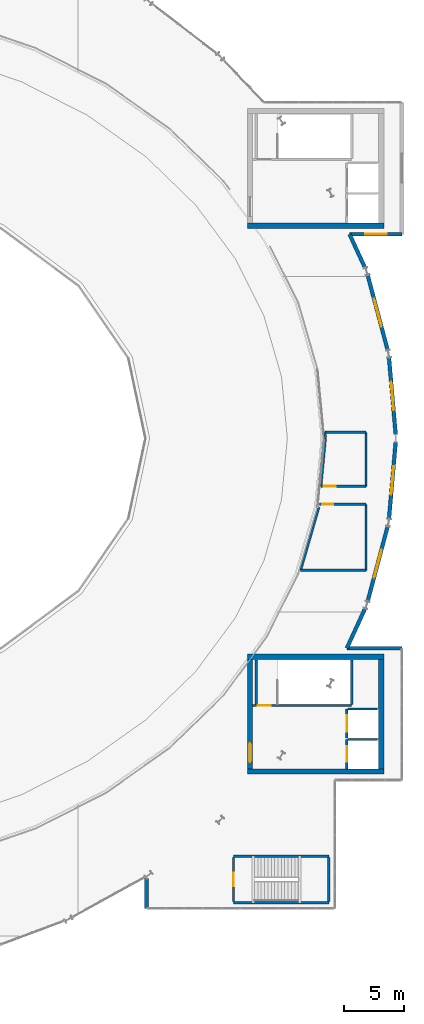
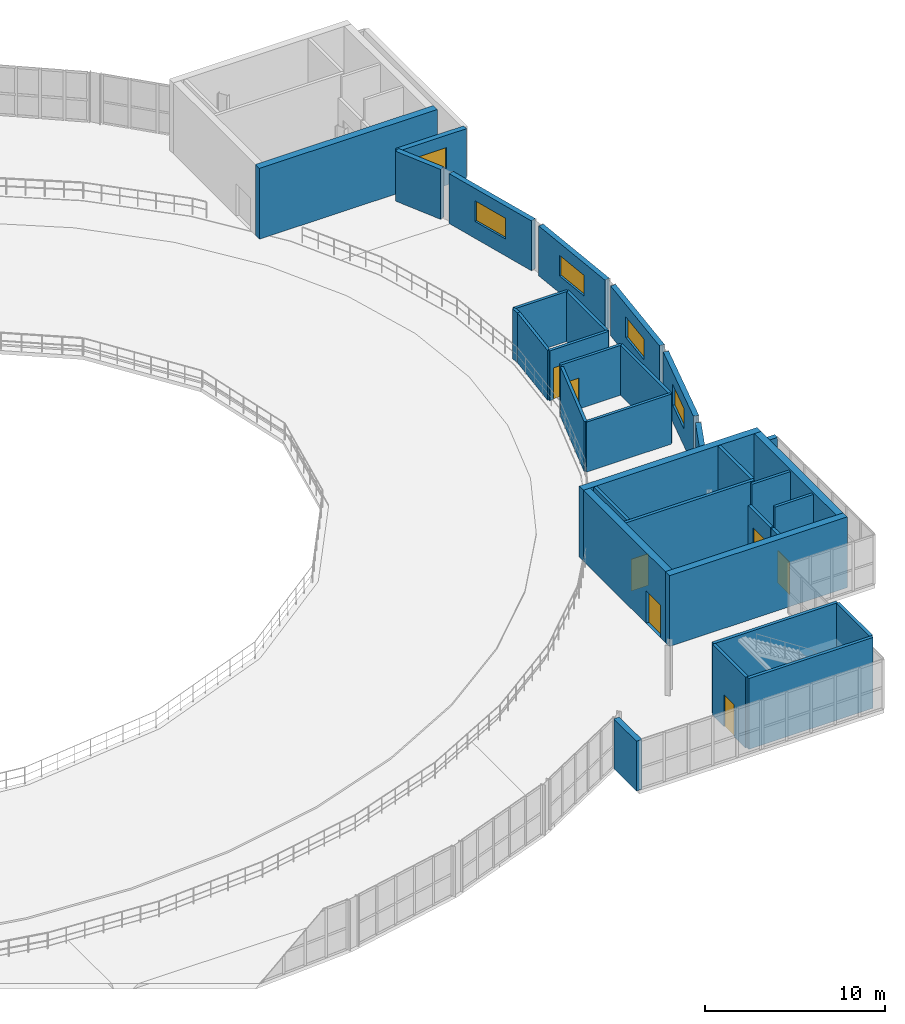
# One storey, part 32 of 40: 34 walls, 7 doors, 5 windows, 12 openings.
"""IFC4 building model written with IfcOpenShell, lengths in metres."""

from ifc_helpers import new_model, si_unit, direction, frame, frame_2d, origin, place, context, subcontext, project, spatial, rectangle, extrude, material, layer, layer_set, type_object, element, fill, save


model = new_model("IFC4")

# Units and contexts
model_context = context("Model", 3, precision=1e-05, world=origin(), true_north=direction((0.0, 1.0)))
body_context = subcontext(model_context, "Body", "Model", "MODEL_VIEW")
ifc_project = project(units=[si_unit("LENGTHUNIT", "METRE"), si_unit("AREAUNIT", "SQUARE_METRE"), si_unit("VOLUMEUNIT", "CUBIC_METRE"), si_unit("PLANEANGLEUNIT", "RADIAN"), si_unit("MASSUNIT", "GRAM", prefix="KILO")], contexts=[model_context])

# Site, building, storey
site_placement = place(None, origin())
site = spatial("IfcSite", under=ifc_project, at=site_placement, CompositionType="ELEMENT")
building_placement = place(site_placement, origin())
building = spatial("IfcBuilding", under=site, at=building_placement, Name="Glasvene Arena", CompositionType="ELEMENT")
storey_placement = place(building_placement, frame((0.0, 0.0, 24.0)))
storey = spatial("IfcBuildingStorey", under=building, at=storey_placement, Name="L05", CompositionType="ELEMENT", Elevation=24.0)

# Walls
ifc_material_1 = material(Name="Concrete C40/50", Category="concrete")
ifc_layer_1 = layer(ifc_material_1, 0.449951171875)
ifc_layer_set_1 = layer_set([ifc_layer_1], Name="Concrete C40/50")
wall_type_1 = type_object("IfcWallType", Name="WL-CORE-450", PredefinedType="SHEAR", material=ifc_layer_set_1)
for number, where, z_axis, x_axis, name in (
    (1, (129.60009765625, 90.72509765625, 0.0), (0.0, 0.0, 1.0), (1.0, 0.0, 0.0), "Core C2 North-East shear wall S L05"),
    (2, (129.60009765625, 45.22509765625, 0.0), (0.0, 0.0, 1.0), (1.0, 0.0, 0.0), "Core C4 South-East shear wall S L05"),
    (3, (129.60009765625, 54.77490234375, 0.0), (0.0, 0.0, 1.0), (1.0, 0.0, 0.0), "Core C4 South-East shear wall N L05"),
):
    element("IfcWall", number, at=place(storey_placement, frame(where, z_axis=z_axis, x_axis=x_axis)), inside=storey, type_object=wall_type_1, Name=name, PredefinedType="SHEAR", context=body_context, shape_type="SweptSolid", body=[
        extrude(rectangle(XDim=11.39990234375, YDim=0.449951171875, at=frame_2d((5.699951171875, 0.0))), origin(), (0.0, 0.0, 1.0), 4.800048828125),
    ])

# Wall, opening, door
wall_1_placement = place(storey_placement, frame((129.824951171875, 45.449951171875, 0.0), z_axis=(0.0, 0.0, 1.0), x_axis=(0.0, 1.0, 0.0)))
wall_1 = element("IfcWall", 4, at=wall_1_placement, inside=storey, type_object=wall_type_1, Name="Core C4 South-East shear wall W L05", PredefinedType="SHEAR", context=body_context, shape_type="SweptSolid", body=[
    extrude(rectangle(XDim=9.10009765625, YDim=0.449951171875, at=frame_2d((4.550048828125, 0.0))), origin(), (0.0, 0.0, 1.0), 4.800048828125),
])
opening_1_placement = place(wall_1_placement, frame((0.550048828125, 0.0, 0.0)))
opening_1 = element("IfcOpeningElement", 5, at=opening_1_placement, cuts=wall_1, Name="Opening D-02", PredefinedType="OPENING", context=body_context, shape_type="SweptSolid", body=[
    extrude(rectangle(XDim=1.60009765625, YDim=2.199951171875, at=frame_2d((0.800048828125, 1.10009765625))), frame((0.0, 0.23486328125, 0.0), z_axis=(0.0, -1.0, 0.0), x_axis=(1.0, 0.0, 0.0)), (0.0, 0.0, 1.0), 0.469970703125),
])
ifc_material_2 = material(Name="Painted fire-resisting steel", Category="steel")
door_type_1 = type_object("IfcDoorType", Name="DR-FD60-1600", OperationType="DOUBLE_DOOR_SINGLE_SWING", PredefinedType="DOOR", material=ifc_material_2)
door_1_placement = place(opening_1_placement, frame((1.60009765625, 0.0, 0.0), z_axis=(0.0, 0.0, 1.0), x_axis=(-1.0, 0.0, 0.0)))
door_1 = element("IfcDoor", 6, at=door_1_placement, inside=storey, type_object=door_type_1, Name="Core firefighting lobby concourse door C4-L05", OperationType="DOUBLE_DOOR_SINGLE_SWING", OverallHeight=2.199951171875, OverallWidth=1.60009765625, PredefinedType="DOOR", context=body_context, shape_type="SweptSolid", body=[
    extrude(rectangle(XDim=1.60009765625, YDim=2.199951171875, at=frame_2d((0.800048828125, 1.10009765625))), frame((0.0, 0.02490234375, 0.0), z_axis=(0.0, -1.0, 0.0), x_axis=(1.0, 0.0, 0.0)), (0.0, 0.0, 1.0), 0.050048828125),
])
fill(opening_1, door_1)

# Walls
wall_2_placement = place(storey_placement, frame((140.77490234375, 45.449951171875, 0.0), z_axis=(0.0, 0.0, 1.0), x_axis=(0.0, 1.0, 0.0)))
element("IfcWall", 7, at=wall_2_placement, inside=storey, type_object=wall_type_1, Name="Core C4 South-East shear wall E L05", PredefinedType="SHEAR", context=body_context, shape_type="SweptSolid", body=[
    extrude(rectangle(XDim=9.10009765625, YDim=0.449951171875, at=frame_2d((4.550048828125, 0.0))), origin(), (0.0, 0.0, 1.0), 4.800048828125),
])
ifc_material_3 = material(Name="Coursed pale Irish limestone", Category="masonry")
ifc_layer_2 = layer(ifc_material_3, 0.360107421875)
ifc_layer_set_2 = layer_set([ifc_layer_2], Name="Coursed pale Irish limestone")
wall_type_2 = type_object("IfcWallType", Name="WL-EXT-LIM-360", PredefinedType="STANDARD", material=ifc_layer_set_2)
wall_3_placement = place(storey_placement, frame((121.199951171875, 33.800048828125, 0.0), z_axis=(0.0, 0.0, 1.0), x_axis=(0.0, 1.0, 0.0)))
element("IfcWall", 8, at=wall_3_placement, inside=storey, type_object=wall_type_2, Name="External facade wall EW-L05-0301", PredefinedType="STANDARD", context=body_context, shape_type="SweptSolid", body=[
    extrude(rectangle(XDim=2.508056640625, YDim=0.360107421875, at=frame_2d((1.25390625, 0.0))), origin(), (0.0, 0.0, 1.0), 3.3798828125),
])

# Wall, opening, window
ifc_material_4 = material(Name="Precast concrete C50/60", Category="concrete")
ifc_layer_3 = layer(ifc_material_4, 0.320068359375)
ifc_layer_set_3 = layer_set([ifc_layer_3], Name="Precast concrete C50/60")
wall_type_3 = type_object("IfcWallType", Name="WL-EXT-PRC-320", PredefinedType="STANDARD", material=ifc_layer_set_3)
wall_4_placement = place(storey_placement, frame((142.5, 90.0, 0.0), z_axis=(0.0, 0.0, 1.0), x_axis=(-1.0, 0.0, 0.0)))
wall_4 = element("IfcWall", 9, at=wall_4_placement, inside=storey, type_object=wall_type_3, Name="External facade wall EW-L05-0293", PredefinedType="STANDARD", context=body_context, shape_type="SweptSolid", body=[
    extrude(rectangle(XDim=4.371337890625, YDim=0.320068359375, at=frame_2d((2.185546875, 0.0))), origin(), (0.0, 0.0, 1.0), 3.3798828125),
])
opening_2_placement = place(wall_4_placement, frame((1.285888671875, 0.0, 1.14990234375)))
opening_2 = element("IfcOpeningElement", 10, at=opening_2_placement, cuts=wall_4, Name="Opening W-19", PredefinedType="OPENING", context=body_context, shape_type="SweptSolid", body=[
    extrude(rectangle(XDim=1.800048828125, YDim=1.39990234375, at=frame_2d((0.89990234375, 0.699951171875))), frame((0.0, 0.169921875, 0.0), z_axis=(0.0, -1.0, 0.0), x_axis=(1.0, 0.0, 0.0)), (0.0, 0.0, 1.0), 0.340087890625),
])
ifc_material_5 = material(Name="Low-emissivity laminated double glazing", Category="glass")
window_type_1 = type_object("IfcWindowType", Name="WN-LOUV-180x140", PartitioningType="SINGLE_PANEL", PredefinedType="WINDOW", material=ifc_material_5)
window_1_placement = place(opening_2_placement, origin())
window_1 = element("IfcWindow", 11, at=window_1_placement, inside=storey, type_object=window_type_1, Name="Facade window WN-LOUV-180x140 L05-0186", OverallHeight=1.39990234375, OverallWidth=1.800048828125, PartitioningType="SINGLE_PANEL", PredefinedType="WINDOW", context=body_context, shape_type="SweptSolid", body=[
    extrude(rectangle(XDim=1.800048828125, YDim=1.39990234375, at=frame_2d((0.89990234375, 0.699951171875))), frame((0.0, 0.030029296875, 0.0), z_axis=(0.0, -1.0, 0.0), x_axis=(1.0, 0.0, 0.0)), (0.0, 0.0, 1.0), 0.06005859375),
])
fill(opening_2, window_1)

# Wall
wall_5_placement = place(storey_placement, frame((138.128662109375, 90.0, 0.0), z_axis=(0.0, 0.0, 1.0), x_axis=(0.418086422493, -0.908407256316, 0.0)))
element("IfcWall", 12, at=wall_5_placement, inside=storey, type_object=wall_type_3, Name="External facade wall EW-L05-0294", PredefinedType="STANDARD", context=body_context, shape_type="SweptSolid", body=[
    extrude(rectangle(XDim=3.07568359375, YDim=0.320068359375, at=frame_2d((1.537841796875, 0.0))), origin(), (0.0, 0.0, 1.0), 3.3798828125),
])

# Wall, opening, window
wall_6_placement = place(storey_placement, frame((139.63720703125, 86.58984375, 0.0), z_axis=(0.0, 0.0, 1.0), x_axis=(0.257735684167, -0.966215461016, 0.0)))
wall_6 = element("IfcWall", 13, at=wall_6_placement, inside=storey, type_object=wall_type_3, Name="External facade wall EW-L05-0295", PredefinedType="STANDARD", context=body_context, shape_type="SweptSolid", body=[
    extrude(rectangle(XDim=6.449951171875, YDim=0.320068359375, at=frame_2d((3.22509765625, 0.0))), origin(), (0.0, 0.0, 1.0), 3.3798828125),
])
opening_3_placement = place(wall_6_placement, frame((2.02490234375, 0.0, 1.14990234375)))
opening_3 = element("IfcOpeningElement", 14, at=opening_3_placement, cuts=wall_6, Name="Opening W-18", PredefinedType="OPENING", context=body_context, shape_type="SweptSolid", body=[
    extrude(rectangle(XDim=2.39990234375, YDim=1.39990234375, at=frame_2d((1.199951171875, 0.699951171875))), frame((0.0, 0.169921875, 0.0), z_axis=(0.0, -1.0, 0.0), x_axis=(1.0, 0.0, 0.0)), (0.0, 0.0, 1.0), 0.340087890625),
])
window_type_2 = type_object("IfcWindowType", Name="WN-LOUV-240x140", PartitioningType="DOUBLE_PANEL_HORIZONTAL", PredefinedType="WINDOW", material=ifc_material_5)
window_2_placement = place(opening_3_placement, origin())
window_2 = element("IfcWindow", 15, at=window_2_placement, inside=storey, type_object=window_type_2, Name="Facade window WN-LOUV-240x140 L05-0187", OverallHeight=1.39990234375, OverallWidth=2.39990234375, PartitioningType="SINGLE_PANEL", PredefinedType="WINDOW", context=body_context, shape_type="SweptSolid", body=[
    extrude(rectangle(XDim=2.39990234375, YDim=1.39990234375, at=frame_2d((1.199951171875, 0.699951171875))), frame((0.0, 0.030029296875, 0.0), z_axis=(0.0, -1.0, 0.0), x_axis=(1.0, 0.0, 0.0)), (0.0, 0.0, 1.0), 0.06005859375),
])
fill(opening_3, window_2)

wall_7_placement = place(storey_placement, frame((141.412841796875, 79.71337890625, 0.0), z_axis=(0.0, 0.0, 1.0), x_axis=(0.0871324641, -0.996196734435, 0.0)))
wall_7 = element("IfcWall", 16, at=wall_7_placement, inside=storey, type_object=wall_type_3, Name="External facade wall EW-L05-0296", PredefinedType="STANDARD", context=body_context, shape_type="SweptSolid", body=[
    extrude(rectangle(XDim=6.410888671875, YDim=0.320068359375, at=frame_2d((3.20556640625, 0.0))), origin(), (0.0, 0.0, 1.0), 3.3798828125),
])
opening_4_placement = place(wall_7_placement, frame((2.0048828125, 0.0, 1.14990234375)))
opening_4 = element("IfcOpeningElement", 17, at=opening_4_placement, cuts=wall_7, Name="Opening W-18", PredefinedType="OPENING", context=body_context, shape_type="SweptSolid", body=[
    extrude(rectangle(XDim=2.39990234375, YDim=1.39990234375, at=frame_2d((1.199951171875, 0.699951171875))), frame((0.0, 0.169921875, 0.0), z_axis=(0.0, -1.0, 0.0), x_axis=(1.0, 0.0, 0.0)), (0.0, 0.0, 1.0), 0.340087890625),
])
window_3_placement = place(opening_4_placement, origin())
window_3 = element("IfcWindow", 18, at=window_3_placement, inside=storey, type_object=window_type_2, Name="Facade window WN-LOUV-240x140 L05-0188", OverallHeight=1.39990234375, OverallWidth=2.39990234375, PartitioningType="SINGLE_PANEL", PredefinedType="WINDOW", context=body_context, shape_type="SweptSolid", body=[
    extrude(rectangle(XDim=2.39990234375, YDim=1.39990234375, at=frame_2d((1.199951171875, 0.699951171875))), frame((0.0, 0.030029296875, 0.0), z_axis=(0.0, -1.0, 0.0), x_axis=(1.0, 0.0, 0.0)), (0.0, 0.0, 1.0), 0.06005859375),
])
fill(opening_4, window_3)

wall_8_placement = place(storey_placement, frame((141.971435546875, 72.673095703125, 0.0), z_axis=(0.0, 0.0, 1.0), x_axis=(-0.0871324641, -0.996196734435, 0.0)))
wall_8 = element("IfcWall", 19, at=wall_8_placement, inside=storey, type_object=wall_type_3, Name="External facade wall EW-L05-0297", PredefinedType="STANDARD", context=body_context, shape_type="SweptSolid", body=[
    extrude(rectangle(XDim=6.410888671875, YDim=0.320068359375, at=frame_2d((3.20556640625, 0.0))), origin(), (0.0, 0.0, 1.0), 3.3798828125),
])
opening_5_placement = place(wall_8_placement, frame((2.0048828125, 0.0, 1.14990234375)))
opening_5 = element("IfcOpeningElement", 20, at=opening_5_placement, cuts=wall_8, Name="Opening W-18", PredefinedType="OPENING", context=body_context, shape_type="SweptSolid", body=[
    extrude(rectangle(XDim=2.39990234375, YDim=1.39990234375, at=frame_2d((1.199951171875, 0.699951171875))), frame((0.0, 0.169921875, 0.0), z_axis=(0.0, -1.0, 0.0), x_axis=(1.0, 0.0, 0.0)), (0.0, 0.0, 1.0), 0.340087890625),
])
window_4_placement = place(opening_5_placement, origin())
window_4 = element("IfcWindow", 21, at=window_4_placement, inside=storey, type_object=window_type_2, Name="Facade window WN-LOUV-240x140 L05-0189", OverallHeight=1.39990234375, OverallWidth=2.39990234375, PartitioningType="SINGLE_PANEL", PredefinedType="WINDOW", context=body_context, shape_type="SweptSolid", body=[
    extrude(rectangle(XDim=2.39990234375, YDim=1.39990234375, at=frame_2d((1.199951171875, 0.699951171875))), frame((0.0, 0.030029296875, 0.0), z_axis=(0.0, -1.0, 0.0), x_axis=(1.0, 0.0, 0.0)), (0.0, 0.0, 1.0), 0.06005859375),
])
fill(opening_5, window_4)

wall_9_placement = place(storey_placement, frame((141.299560546875, 65.64208984375, 0.0), z_axis=(0.0, 0.0, 1.0), x_axis=(-0.257735684167, -0.966215461016, 0.0)))
wall_9 = element("IfcWall", 22, at=wall_9_placement, inside=storey, type_object=wall_type_3, Name="External facade wall EW-L05-0298", PredefinedType="STANDARD", context=body_context, shape_type="SweptSolid", body=[
    extrude(rectangle(XDim=6.449951171875, YDim=0.320068359375, at=frame_2d((3.22509765625, 0.0))), origin(), (0.0, 0.0, 1.0), 3.3798828125),
])
opening_6_placement = place(wall_9_placement, frame((2.02490234375, 0.0, 1.14990234375)))
opening_6 = element("IfcOpeningElement", 23, at=opening_6_placement, cuts=wall_9, Name="Opening W-18", PredefinedType="OPENING", context=body_context, shape_type="SweptSolid", body=[
    extrude(rectangle(XDim=2.39990234375, YDim=1.39990234375, at=frame_2d((1.199951171875, 0.699951171875))), frame((0.0, 0.169921875, 0.0), z_axis=(0.0, -1.0, 0.0), x_axis=(1.0, 0.0, 0.0)), (0.0, 0.0, 1.0), 0.340087890625),
])
window_5_placement = place(opening_6_placement, origin())
window_5 = element("IfcWindow", 24, at=window_5_placement, inside=storey, type_object=window_type_2, Name="Facade window WN-LOUV-240x140 L05-0190", OverallHeight=1.39990234375, OverallWidth=2.39990234375, PartitioningType="SINGLE_PANEL", PredefinedType="WINDOW", context=body_context, shape_type="SweptSolid", body=[
    extrude(rectangle(XDim=2.39990234375, YDim=1.39990234375, at=frame_2d((1.199951171875, 0.699951171875))), frame((0.0, 0.030029296875, 0.0), z_axis=(0.0, -1.0, 0.0), x_axis=(1.0, 0.0, 0.0)), (0.0, 0.0, 1.0), 0.06005859375),
])
fill(opening_6, window_5)

# Walls
wall_10_placement = place(storey_placement, frame((139.41455078125, 58.7939453125, 0.0), z_axis=(0.0, 0.0, 1.0), x_axis=(-0.4180545342, -0.908421931943, 0.0)))
element("IfcWall", 25, at=wall_10_placement, inside=storey, type_object=wall_type_3, Name="External facade wall EW-L05-0299", PredefinedType="STANDARD", context=body_context, shape_type="SweptSolid", body=[
    extrude(rectangle(XDim=3.6259765625, YDim=0.320068359375, at=frame_2d((1.81298828125, 0.0))), origin(), (0.0, 0.0, 1.0), 3.3798828125),
])
wall_11_placement = place(storey_placement, frame((137.898681640625, 55.5, 0.0), z_axis=(0.0, 0.0, 1.0), x_axis=(1.0, 0.0, 0.0)))
element("IfcWall", 26, at=wall_11_placement, inside=storey, type_object=wall_type_3, Name="External facade wall EW-L05-0300", PredefinedType="STANDARD", context=body_context, shape_type="SweptSolid", body=[
    extrude(rectangle(XDim=4.601318359375, YDim=0.320068359375, at=frame_2d((2.30078125, 0.0))), origin(), (0.0, 0.0, 1.0), 3.3798828125),
])

# Wall, opening, door
ifc_layer_4 = layer(ifc_material_1, 0.199951171875)
ifc_layer_set_4 = layer_set([ifc_layer_4], Name="Concrete C40/50")
wall_type_4 = type_object("IfcWallType", Name="WL-SHAFT-200", PredefinedType="SHEAR", material=ifc_layer_set_4)
wall_12_placement = place(storey_placement, frame((137.89990234375, 45.449951171875, 0.0), z_axis=(0.0, 0.0, 1.0), x_axis=(0.0, 1.0, 0.0)))
wall_12 = element("IfcWall", 27, at=wall_12_placement, inside=storey, type_object=wall_type_4, Name="Lift shaft front wall FFL-04 L05", PredefinedType="SHEAR", context=body_context, shape_type="SweptSolid", body=[
    extrude(rectangle(XDim=2.449951171875, YDim=0.199951171875, at=frame_2d((1.22509765625, 0.0))), origin(), (0.0, 0.0, 1.0), 3.3798828125),
])
opening_7_placement = place(wall_12_placement, frame((0.574951171875, 0.0, 0.0)))
opening_7 = element("IfcOpeningElement", 28, at=opening_7_placement, cuts=wall_12, Name="Opening LD-FF", PredefinedType="OPENING", context=body_context, shape_type="SweptSolid", body=[
    extrude(rectangle(XDim=1.300048828125, YDim=2.199951171875, at=frame_2d((0.64990234375, 1.10009765625))), frame((0.0, 0.10986328125, 0.0), z_axis=(0.0, -1.0, 0.0), x_axis=(1.0, 0.0, 0.0)), (0.0, 0.0, 1.0), 0.219970703125),
])
ifc_material_6 = material(Name="Brushed stainless steel", Category="steel")
door_type_2 = type_object("IfcDoorType", Name="LD-FFL-1300", OperationType="DOUBLE_DOOR_SLIDING", PredefinedType="DOOR", material=ifc_material_6)
door_2_placement = place(opening_7_placement, origin())
door_2 = element("IfcDoor", 29, at=door_2_placement, inside=storey, type_object=door_type_2, Name="Lift sliding landing door LD-FFL-04-L05", OperationType="DOUBLE_DOOR_SLIDING", OverallHeight=2.199951171875, OverallWidth=1.300048828125, PredefinedType="DOOR", context=body_context, shape_type="SweptSolid", body=[
    extrude(rectangle(XDim=1.300048828125, YDim=2.199951171875, at=frame_2d((0.64990234375, 1.10009765625))), frame((0.0, 0.02490234375, 0.0), z_axis=(0.0, -1.0, 0.0), x_axis=(1.0, 0.0, 0.0)), (0.0, 0.0, 1.0), 0.050048828125),
])
fill(opening_7, door_2)

wall_13_placement = place(storey_placement, frame((137.89990234375, 48.0, 0.0), z_axis=(0.0, 0.0, 1.0), x_axis=(0.0, 1.0, 0.0)))
wall_13 = element("IfcWall", 30, at=wall_13_placement, inside=storey, type_object=wall_type_4, Name="Lift shaft front wall PL-04 L05", PredefinedType="SHEAR", context=body_context, shape_type="SweptSolid", body=[
    extrude(rectangle(XDim=2.449951171875, YDim=0.199951171875, at=frame_2d((1.22509765625, 0.0))), origin(), (0.0, 0.0, 1.0), 3.3798828125),
])
opening_8_placement = place(wall_13_placement, frame((0.52490234375, 0.0, 0.0)))
opening_8 = element("IfcOpeningElement", 31, at=opening_8_placement, cuts=wall_13, Name="Opening LD-PL", PredefinedType="OPENING", context=body_context, shape_type="SweptSolid", body=[
    extrude(rectangle(XDim=1.39990234375, YDim=2.199951171875, at=frame_2d((0.699951171875, 1.10009765625))), frame((0.0, 0.10986328125, 0.0), z_axis=(0.0, -1.0, 0.0), x_axis=(1.0, 0.0, 0.0)), (0.0, 0.0, 1.0), 0.219970703125),
])
door_type_3 = type_object("IfcDoorType", Name="LD-PL-1400", OperationType="DOUBLE_DOOR_SLIDING", PredefinedType="DOOR", material=ifc_material_6)
door_3_placement = place(opening_8_placement, origin())
door_3 = element("IfcDoor", 32, at=door_3_placement, inside=storey, type_object=door_type_3, Name="Lift sliding landing door LD-PL-04-L05", OperationType="DOUBLE_DOOR_SLIDING", OverallHeight=2.199951171875, OverallWidth=1.39990234375, PredefinedType="DOOR", context=body_context, shape_type="SweptSolid", body=[
    extrude(rectangle(XDim=1.39990234375, YDim=2.199951171875, at=frame_2d((0.699951171875, 1.10009765625))), frame((0.0, 0.02490234375, 0.0), z_axis=(0.0, -1.0, 0.0), x_axis=(1.0, 0.0, 0.0)), (0.0, 0.0, 1.0), 0.050048828125),
])
fill(opening_8, door_3)

wall_14_placement = place(storey_placement, frame((130.052001953125, 50.72998046875, 0.0), z_axis=(0.0, 0.0, 1.0), x_axis=(1.0, 0.0, 0.0)))
wall_14 = element("IfcWall", 33, at=wall_14_placement, inside=storey, type_object=wall_type_4, Name="Escape stair shaft wall ST-04 L05 S", PredefinedType="SHEAR", context=body_context, shape_type="SweptSolid", body=[
    extrude(rectangle(XDim=8.248046875, YDim=0.199951171875, at=frame_2d((4.1240234375, 0.0))), origin(), (0.0, 0.0, 1.0), 4.800048828125),
])
opening_9_placement = place(wall_14_placement, frame((0.39990234375, 0.0, 0.0)))
opening_9 = element("IfcOpeningElement", 34, at=opening_9_placement, cuts=wall_14, Name="Opening D-04", PredefinedType="OPENING", context=body_context, shape_type="SweptSolid", body=[
    extrude(rectangle(XDim=1.10009765625, YDim=2.14990234375, at=frame_2d((0.550048828125, 1.074951171875))), frame((0.0, 0.10986328125, 0.0), z_axis=(0.0, -1.0, 0.0), x_axis=(1.0, 0.0, 0.0)), (0.0, 0.0, 1.0), 0.219970703125),
])
door_type_4 = type_object("IfcDoorType", Name="DR-FD60-1100", OperationType="NOTDEFINED", PredefinedType="DOOR", material=ifc_material_2)
door_4_placement = place(opening_9_placement, frame((1.10009765625, 0.0, 0.0), z_axis=(0.0, 0.0, 1.0), x_axis=(-1.0, 0.0, 0.0)))
door_4 = element("IfcDoor", 35, at=door_4_placement, inside=storey, type_object=door_type_4, Name="Protected escape stair door ST-04 L05", OperationType="SINGLE_SWING_LEFT", OverallHeight=2.14990234375, OverallWidth=1.10009765625, PredefinedType="DOOR", context=body_context, shape_type="SweptSolid", body=[
    extrude(rectangle(XDim=1.10009765625, YDim=2.14990234375, at=frame_2d((0.550048828125, 1.074951171875))), frame((0.0, 0.02490234375, 0.0), z_axis=(0.0, -1.0, 0.0), x_axis=(1.0, 0.0, 0.0)), (0.0, 0.0, 1.0), 0.050048828125),
])
fill(opening_9, door_4)

# Walls
for number, where, z_axis, x_axis, name in (
    (36, (130.35009765625, 50.83203125, 0.0), (0.0, 0.0, 1.0), (0.0, 1.0, 0.0), "Escape stair shaft wall ST-04 L05 W"),
    (37, (138.300048828125, 50.83203125, 0.0), (0.0, 0.0, 1.0), (0.0, 1.0, 0.0), "Escape stair shaft wall ST-04 L05 E"),
):
    element("IfcWall", number, at=place(storey_placement, frame(where, z_axis=z_axis, x_axis=x_axis)), inside=storey, type_object=wall_type_4, Name=name, PredefinedType="SHEAR", context=body_context, shape_type="SweptSolid", body=[
        extrude(rectangle(XDim=3.68603515625, YDim=0.199951171875, at=frame_2d((1.843017578125, 0.0))), origin(), (0.0, 0.0, 1.0), 4.800048828125),
    ])
wall_15_placement = place(storey_placement, frame((128.449951171875, 34.280029296875, 0.0), z_axis=(0.0, 0.0, 1.0), x_axis=(1.0, 0.0, 0.0)))
element("IfcWall", 38, at=wall_15_placement, inside=storey, type_object=wall_type_4, Name="Escape stair shaft wall ST-06 L05 S", PredefinedType="SHEAR", context=body_context, shape_type="SweptSolid", body=[
    extrude(rectangle(XDim=7.949951171875, YDim=0.199951171875, at=frame_2d((3.97509765625, 0.0))), origin(), (0.0, 0.0, 1.0), 4.800048828125),
])

# Wall, opening, door
wall_16_placement = place(storey_placement, frame((128.449951171875, 34.382080078125, 0.0), z_axis=(0.0, 0.0, 1.0), x_axis=(0.0, 1.0, 0.0)))
wall_16 = element("IfcWall", 39, at=wall_16_placement, inside=storey, type_object=wall_type_4, Name="Escape stair shaft wall ST-06 L05 W", PredefinedType="SHEAR", context=body_context, shape_type="SweptSolid", body=[
    extrude(rectangle(XDim=3.68603515625, YDim=0.199951171875, at=frame_2d((1.843017578125, 0.0))), origin(), (0.0, 0.0, 1.0), 4.800048828125),
])
opening_10_placement = place(wall_16_placement, frame((1.29296875, 0.0, 0.0)))
opening_10 = element("IfcOpeningElement", 40, at=opening_10_placement, cuts=wall_16, Name="Opening D-04", PredefinedType="OPENING", context=body_context, shape_type="SweptSolid", body=[
    extrude(rectangle(XDim=1.10009765625, YDim=2.14990234375, at=frame_2d((0.550048828125, 1.074951171875))), frame((0.0, 0.10986328125, 0.0), z_axis=(0.0, -1.0, 0.0), x_axis=(1.0, 0.0, 0.0)), (0.0, 0.0, 1.0), 0.219970703125),
])
door_5_placement = place(opening_10_placement, frame((1.10009765625, 0.0, 0.0), z_axis=(0.0, 0.0, 1.0), x_axis=(-1.0, 0.0, 0.0)))
door_5 = element("IfcDoor", 41, at=door_5_placement, inside=storey, type_object=door_type_4, Name="Protected escape stair door ST-06 L05", OperationType="SINGLE_SWING_LEFT", OverallHeight=2.14990234375, OverallWidth=1.10009765625, PredefinedType="DOOR", context=body_context, shape_type="SweptSolid", body=[
    extrude(rectangle(XDim=1.10009765625, YDim=2.14990234375, at=frame_2d((0.550048828125, 1.074951171875))), frame((0.0, 0.02490234375, 0.0), z_axis=(0.0, -1.0, 0.0), x_axis=(1.0, 0.0, 0.0)), (0.0, 0.0, 1.0), 0.050048828125),
])
fill(opening_10, door_5)

# Walls
wall_17_placement = place(storey_placement, frame((136.39990234375, 34.382080078125, 0.0), z_axis=(0.0, 0.0, 1.0), x_axis=(0.0, 1.0, 0.0)))
element("IfcWall", 42, at=wall_17_placement, inside=storey, type_object=wall_type_4, Name="Escape stair shaft wall ST-06 L05 E", PredefinedType="SHEAR", context=body_context, shape_type="SweptSolid", body=[
    extrude(rectangle(XDim=3.68603515625, YDim=0.199951171875, at=frame_2d((1.843017578125, 0.0))), origin(), (0.0, 0.0, 1.0), 4.800048828125),
])
wall_18_placement = place(storey_placement, frame((128.449951171875, 38.169921875, 0.0), z_axis=(0.0, 0.0, 1.0), x_axis=(1.0, 0.0, 0.0)))
element("IfcWall", 43, at=wall_18_placement, inside=storey, type_object=wall_type_4, Name="Escape stair shaft wall ST-06 L05 N", PredefinedType="SHEAR", context=body_context, shape_type="SweptSolid", body=[
    extrude(rectangle(XDim=7.949951171875, YDim=0.199951171875, at=frame_2d((3.97509765625, 0.0))), origin(), (0.0, 0.0, 1.0), 4.800048828125),
])
ifc_material_7 = material(Name="Moisture-resistant masonry blockwork", Category="masonry")
ifc_layer_5 = layer(ifc_material_7, 0.179931640625)
ifc_layer_set_5 = layer_set([ifc_layer_5], Name="Moisture-resistant masonry blockwork")
wall_type_5 = type_object("IfcWallType", Name="WL-WET-180", PredefinedType="PARTITIONING", material=ifc_layer_set_5)
for number, where, z_axis, x_axis, name in (
    (44, (138.0, 47.89990234375, 0.0), (0.0, 0.0, 1.0), (1.0, 0.0, 0.0), "Lift shaft divider wall C4 L05"),
    (45, (138.0, 50.449951171875, 0.0), (0.0, 0.0, 1.0), (1.0, 0.0, 0.0), "Lift shaft north enclosure wall C4 L05"),
):
    element("IfcWall", number, at=place(storey_placement, frame(where, z_axis=z_axis, x_axis=x_axis)), inside=storey, type_object=wall_type_5, Name=name, PredefinedType="PARTITIONING", context=body_context, shape_type="SweptSolid", body=[
        extrude(rectangle(XDim=2.449951171875, YDim=0.179931640625, at=frame_2d((1.22509765625, 0.0))), origin(), (0.0, 0.0, 1.0), 4.800048828125),
    ])

# Wall, opening, door
wall_19_placement = place(storey_placement, frame((135.59912109375, 67.5, 0.0), z_axis=(0.0, 0.0, 1.0), x_axis=(1.0, 0.0, 0.0)))
wall_19 = element("IfcWall", 46, at=wall_19_placement, inside=storey, type_object=wall_type_5, Name="Interior partition wall IW-L05-0339 (Gondola Staff WC)", PredefinedType="PARTITIONING", context=body_context, shape_type="SweptSolid", body=[
    extrude(rectangle(XDim=3.90087890625, YDim=0.179931640625, at=frame_2d((1.950439453125, 0.0))), origin(), (0.0, 0.0, 1.0), 3.3798828125),
])
opening_11_placement = place(wall_19_placement, frame((0.25, 0.0, 0.0)))
opening_11 = element("IfcOpeningElement", 47, at=opening_11_placement, cuts=wall_19, Name="Opening D-13", PredefinedType="OPENING", context=body_context, shape_type="SweptSolid", body=[
    extrude(rectangle(XDim=0.89990234375, YDim=2.10009765625, at=frame_2d((0.449951171875, 1.050048828125))), frame((0.0, 0.10009765625, 0.0), z_axis=(0.0, -1.0, 0.0), x_axis=(1.0, 0.0, 0.0)), (0.0, 0.0, 1.0), 0.199951171875),
])
ifc_material_8 = material(Name="Moisture-resistant laminate timber", Category="wood")
door_type_5 = type_object("IfcDoorType", Name="DR-WC-900", OperationType="NOTDEFINED", PredefinedType="DOOR", material=ifc_material_8)
door_6_placement = place(opening_11_placement, origin())
door_6 = element("IfcDoor", 48, at=door_6_placement, inside=storey, type_object=door_type_5, Name="Interior door DR-WC-900 (Gondola Staff WC)", OperationType="SINGLE_SWING_LEFT", OverallHeight=2.10009765625, OverallWidth=0.89990234375, PredefinedType="DOOR", context=body_context, shape_type="SweptSolid", body=[
    extrude(rectangle(XDim=0.89990234375, YDim=2.10009765625, at=frame_2d((0.449951171875, 1.050048828125))), frame((0.0, 0.02490234375, 0.0), z_axis=(0.0, -1.0, 0.0), x_axis=(1.0, 0.0, 0.0)), (0.0, 0.0, 1.0), 0.050048828125),
])
fill(opening_11, door_6)

# Walls
wall_20_placement = place(storey_placement, frame((139.5, 67.5, 0.0), z_axis=(0.0, 0.0, 1.0), x_axis=(0.0, -1.0, 0.0)))
element("IfcWall", 49, at=wall_20_placement, inside=storey, type_object=wall_type_5, Name="Interior partition wall IW-L05-0340 (Gondola Staff WC)", PredefinedType="PARTITIONING", context=body_context, shape_type="SweptSolid", body=[
    extrude(rectangle(XDim=5.5, YDim=0.179931640625, at=frame_2d((2.75, 0.0))), origin(), (0.0, 0.0, 1.0), 3.3798828125),
])
wall_21_placement = place(storey_placement, frame((139.5, 62.0, 0.0), z_axis=(0.0, 0.0, 1.0), x_axis=(-1.0, 0.0, 0.0)))
element("IfcWall", 50, at=wall_21_placement, inside=storey, type_object=wall_type_5, Name="Interior partition wall IW-L05-0341 (Gondola Staff WC)", PredefinedType="PARTITIONING", context=body_context, shape_type="SweptSolid", body=[
    extrude(rectangle(XDim=5.447509765625, YDim=0.179931640625, at=frame_2d((2.7236328125, 0.0))), origin(), (0.0, 0.0, 1.0), 3.3798828125),
])
wall_22_placement = place(storey_placement, frame((134.052490234375, 62.0, 0.0), z_axis=(0.0, 0.0, 1.0), x_axis=(0.277957422559, 0.960593395378, 0.0)))
element("IfcWall", 51, at=wall_22_placement, inside=storey, type_object=wall_type_5, Name="Interior partition wall IW-L05-0342 (Gondola Staff WC)", PredefinedType="PARTITIONING", context=body_context, shape_type="SweptSolid", body=[
    extrude(rectangle(XDim=5.477294921875, YDim=0.179931640625, at=frame_2d((2.73876953125, 0.0))), origin(), (0.0, 0.0, 1.0), 3.3798828125),
])
wall_23_placement = place(storey_placement, frame((136.1201171875, 73.0, 0.0), z_axis=(0.0, 0.0, 1.0), x_axis=(-0.091894673088, 0.995768732718, 0.0)))
element("IfcWall", 52, at=wall_23_placement, inside=storey, type_object=wall_type_5, Name="Interior partition wall IW-L05-0343 (Gondola Accessible WC)", PredefinedType="PARTITIONING", context=body_context, shape_type="SweptSolid", body=[
    extrude(rectangle(XDim=0.502197265625, YDim=0.179931640625, at=frame_2d((0.2509765625, 0.0))), origin(), (0.0, 0.0, 1.0), 3.3798828125),
])
wall_24_placement = place(storey_placement, frame((136.073974609375, 73.5, 0.0), z_axis=(0.0, 0.0, 1.0), x_axis=(1.0, 0.0, 0.0)))
element("IfcWall", 53, at=wall_24_placement, inside=storey, type_object=wall_type_5, Name="Interior partition wall IW-L05-0344 (Gondola Accessible WC)", PredefinedType="PARTITIONING", context=body_context, shape_type="SweptSolid", body=[
    extrude(rectangle(XDim=3.426025390625, YDim=0.179931640625, at=frame_2d((1.712890625, 0.0))), origin(), (0.0, 0.0, 1.0), 3.3798828125),
])
wall_25_placement = place(storey_placement, frame((139.5, 73.5, 0.0), z_axis=(0.0, 0.0, 1.0), x_axis=(0.0, -1.0, 0.0)))
element("IfcWall", 54, at=wall_25_placement, inside=storey, type_object=wall_type_5, Name="Interior partition wall IW-L05-0345 (Gondola Accessible WC)", PredefinedType="PARTITIONING", context=body_context, shape_type="SweptSolid", body=[
    extrude(rectangle(XDim=4.5, YDim=0.179931640625, at=frame_2d((2.25, 0.0))), origin(), (0.0, 0.0, 1.0), 3.3798828125),
])

# Wall, opening, door
wall_26_placement = place(storey_placement, frame((139.5, 69.0, 0.0), z_axis=(0.0, 0.0, 1.0), x_axis=(-1.0, 0.0, 0.0)))
wall_26 = element("IfcWall", 55, at=wall_26_placement, inside=storey, type_object=wall_type_5, Name="Interior partition wall IW-L05-0346 (Gondola Accessible WC)", PredefinedType="PARTITIONING", context=body_context, shape_type="SweptSolid", body=[
    extrude(rectangle(XDim=3.75830078125, YDim=0.179931640625, at=frame_2d((1.879150390625, 0.0))), origin(), (0.0, 0.0, 1.0), 3.3798828125),
])
opening_12_placement = place(wall_26_placement, frame((2.508056640625, 0.0, 0.0)))
opening_12 = element("IfcOpeningElement", 56, at=opening_12_placement, cuts=wall_26, Name="Opening D-06", PredefinedType="OPENING", context=body_context, shape_type="SweptSolid", body=[
    extrude(rectangle(XDim=1.0, YDim=2.14990234375, at=frame_2d((0.5, 1.074951171875))), frame((0.0, 0.10009765625, 0.0), z_axis=(0.0, -1.0, 0.0), x_axis=(1.0, 0.0, 0.0)), (0.0, 0.0, 1.0), 0.199951171875),
])
ifc_material_9 = material(Name="European oak fire-resisting timber", Category="wood")
door_type_6 = type_object("IfcDoorType", Name="DR-FD30-1000", OperationType="NOTDEFINED", PredefinedType="DOOR", material=ifc_material_9)
door_7_placement = place(opening_12_placement, origin())
door_7 = element("IfcDoor", 57, at=door_7_placement, inside=storey, type_object=door_type_6, Name="Interior door DR-FD30-1000 (Gondola Accessible WC)", OperationType="SINGLE_SWING_RIGHT", OverallHeight=2.14990234375, OverallWidth=1.0, PredefinedType="DOOR", context=body_context, shape_type="SweptSolid", body=[
    extrude(rectangle(XDim=1.0, YDim=2.14990234375, at=frame_2d((0.5, 1.074951171875))), frame((0.0, 0.02490234375, 0.0), z_axis=(0.0, -1.0, 0.0), x_axis=(1.0, 0.0, 0.0)), (0.0, 0.0, 1.0), 0.050048828125),
])
fill(opening_12, door_7)

# Wall
wall_27_placement = place(storey_placement, frame((135.74169921875, 69.0, 0.0), z_axis=(0.0, 0.0, 1.0), x_axis=(0.094183957362, 0.995554811236, 0.0)))
element("IfcWall", 58, at=wall_27_placement, inside=storey, type_object=wall_type_5, Name="Interior partition wall IW-L05-0347 (Gondola Accessible WC)", PredefinedType="PARTITIONING", context=body_context, shape_type="SweptSolid", body=[
    extrude(rectangle(XDim=4.017822265625, YDim=0.179931640625, at=frame_2d((2.0087890625, 0.0))), origin(), (0.0, 0.0, 1.0), 3.3798828125),
])

save(model, "model.ifc")
